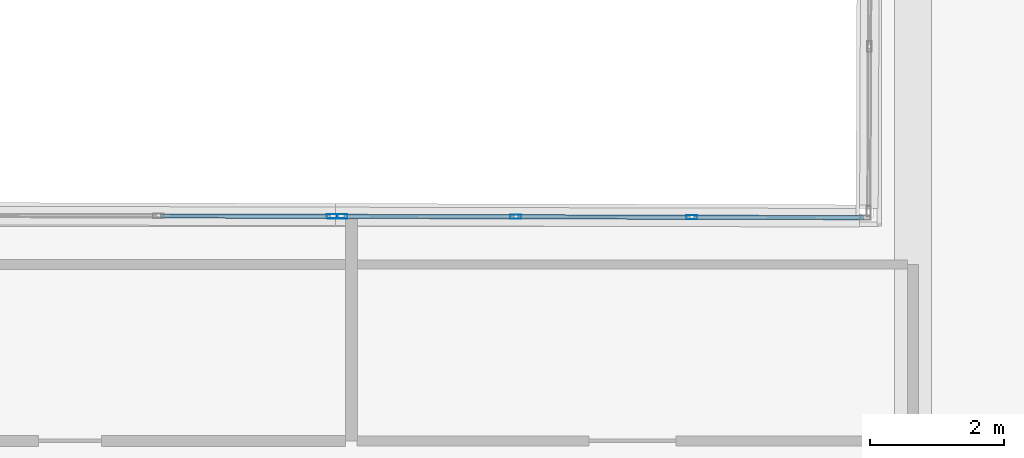
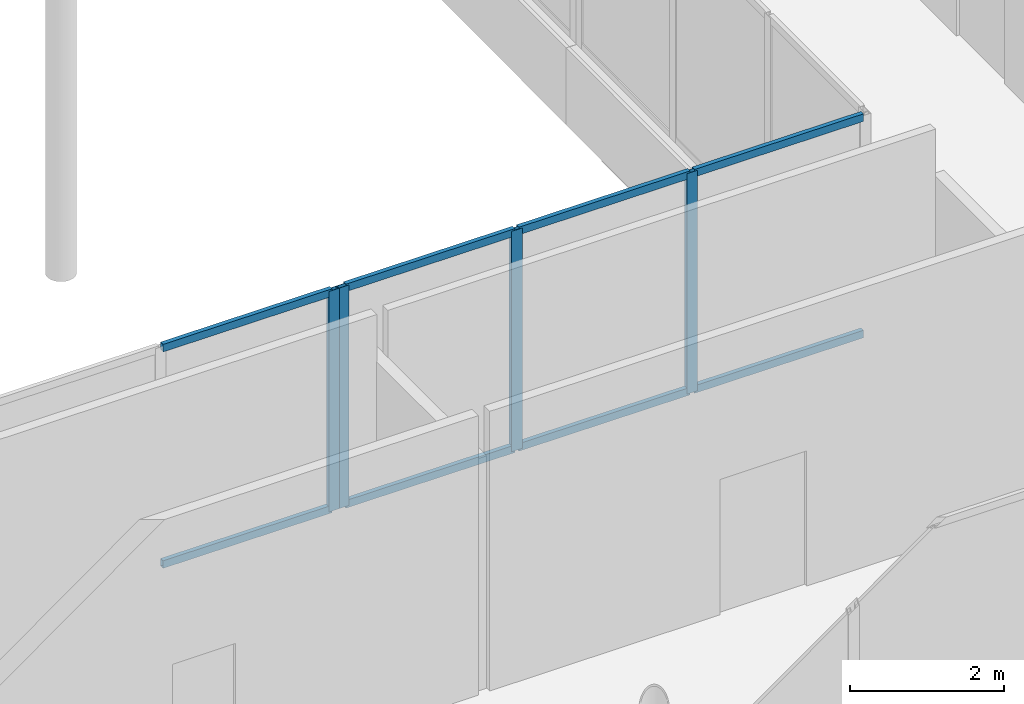
# One storey, part 42 of 168: 12 members, 2 elements without a shape of their own.
"""IFC4 building model written with IfcOpenShell, lengths in metres."""

from ifc_helpers import new_model, si_unit, direction, frame, origin, origin_2d, place, context, subcontext, project, spatial, hollow_rectangle, extrude, material, material_profile, profile_set, type_object, element, aggregate, save


model = new_model("IFC4")

# Units and contexts
model_context = context("Model", 3, precision=1e-05, world=origin(), true_north=direction((0.0, 1.0)))
body_context = subcontext(model_context, "Body", "Model", "MODEL_VIEW")
ifc_project = project(units=[si_unit("LENGTHUNIT", "METRE"), si_unit("AREAUNIT", "SQUARE_METRE"), si_unit("VOLUMEUNIT", "CUBIC_METRE"), si_unit("PLANEANGLEUNIT", "RADIAN"), si_unit("MASSUNIT", "GRAM", prefix="KILO")], contexts=[model_context])

# Site, building, storey
site_placement = place(None, origin())
site = spatial("IfcSite", under=ifc_project, at=site_placement, CompositionType="ELEMENT")
building_placement = place(site_placement, origin())
building = spatial("IfcBuilding", under=site, at=building_placement, Name="Selatvlak General Hospital", CompositionType="ELEMENT")
storey_placement = place(building_placement, frame((0.0, 0.0, 5.39990234375)))
storey = spatial("IfcBuildingStorey", under=building, at=storey_placement, Name="L01", CompositionType="ELEMENT", Elevation=5.39990234375)

# Curtain wall, member
ifc_material_1 = material(Name="Solar-control Low-E double glazing", Category="glass")
curtain_wall_type_1 = type_object("IfcCurtainWallType", Name="CW-CW-02", PredefinedType="USERDEFINED", material=ifc_material_1)
curtain_wall_1_placement = place(storey_placement, origin())
curtain_wall_1 = element("IfcCurtainWall", 1, at=curtain_wall_1_placement, inside=storey, type_object=curtain_wall_type_1, Name="Glazed facade curtain wall CW-L01-0232", ObjectType="UNITISED CURTAIN WALL", PredefinedType="USERDEFINED")
ifc_material_2 = material(Name="Dark anodised aluminium mullion", Category="aluminium")
ifc_material_profile_1 = material_profile(ifc_material_2, hollow_rectangle(XDim=0.06494140625, YDim=0.159912109375, WallThickness=0.00390625, at=origin_2d()), Name="AL-MUL 65x160x4")
ifc_profile_set_1 = profile_set([ifc_material_profile_1], Name="Dark anodised aluminium mullion")
member_type_1 = type_object("IfcMemberType", Name="CWM-01", PredefinedType="MULLION", material=ifc_profile_set_1)
member_1_placement = place(storey_placement, frame((56.112548828125, 60.420166015625, 0.940185546875), z_axis=(0.0, 0.0, 1.0), x_axis=(0.002531637448, 0.999996795401, 0.0)))
member_1 = element("IfcMember", 2, at=member_1_placement, type_object=member_type_1, Name="CW-02 mullion 4", PredefinedType="MULLION", context=body_context, shape_type="SweptSolid", body=[
    extrude(hollow_rectangle(XDim=0.06494140625, YDim=0.159912109375, WallThickness=0.00390625, at=origin_2d()), origin(), (0.0, 0.0, 1.0), 3.5048828125),
])

# Curtain wall, members
curtain_wall_type_2 = type_object("IfcCurtainWallType", Name="CW-CW-01", PredefinedType="USERDEFINED", material=ifc_material_1)
curtain_wall_2_placement = place(storey_placement, origin())
curtain_wall_2 = element("IfcCurtainWall", 3, at=curtain_wall_2_placement, inside=storey, type_object=curtain_wall_type_2, Name="Glazed facade curtain wall CW-L01-0233", ObjectType="UNITISED CURTAIN WALL", PredefinedType="USERDEFINED")
member_2_placement = place(storey_placement, frame((56.257568359375, 60.419921875, 0.940185546875), z_axis=(0.0, 0.0, 1.0), x_axis=(0.002531637448, 0.999996795401, 0.0)))
member_2 = element("IfcMember", 4, at=member_2_placement, type_object=member_type_1, Name="CW-01 mullion 1", PredefinedType="MULLION", context=body_context, shape_type="SweptSolid", body=[
    extrude(hollow_rectangle(XDim=0.06494140625, YDim=0.159912109375, WallThickness=0.00390625, at=origin_2d()), origin(), (0.0, 0.0, 1.0), 3.5048828125),
])
member_3_placement = place(storey_placement, frame((58.8583984375, 60.413330078125, 0.940185546875), z_axis=(0.0, 0.0, 1.0), x_axis=(0.002531637448, 0.999996795401, 0.0)))
member_3 = element("IfcMember", 5, at=member_3_placement, type_object=member_type_1, Name="CW-01 mullion 2", PredefinedType="MULLION", context=body_context, shape_type="SweptSolid", body=[
    extrude(hollow_rectangle(XDim=0.06494140625, YDim=0.159912109375, WallThickness=0.00390625, at=origin_2d()), origin(), (0.0, 0.0, 1.0), 3.5048828125),
])
member_4_placement = place(storey_placement, frame((61.49169921875, 60.40673828125, 0.940185546875), z_axis=(0.0, 0.0, 1.0), x_axis=(0.002531637448, 0.999996795401, 0.0)))
member_4 = element("IfcMember", 6, at=member_4_placement, type_object=member_type_1, Name="CW-01 mullion 3", PredefinedType="MULLION", context=body_context, shape_type="SweptSolid", body=[
    extrude(hollow_rectangle(XDim=0.06494140625, YDim=0.159912109375, WallThickness=0.00390625, at=origin_2d()), origin(), (0.0, 0.0, 1.0), 3.5048828125),
])

# Member
ifc_material_profile_2 = material_profile(ifc_material_2, hollow_rectangle(XDim=0.06494140625, YDim=0.1201171875, WallThickness=0.00390625, at=origin_2d()), Name="AL-TRN 65x120x4")
ifc_profile_set_2 = profile_set([ifc_material_profile_2], Name="Dark anodised aluminium mullion")
member_type_2 = type_object("IfcMemberType", Name="CWT-01", PredefinedType="USERDEFINED", material=ifc_profile_set_2)
member_5_placement = place(storey_placement, frame((53.544189453125, 60.426513671875, 0.97265625), z_axis=(0.999996867188, -0.002503121069, 0.0), x_axis=(0.002503121069, 0.999996867188, 0.0)))
member_5 = element("IfcMember", 7, at=member_5_placement, type_object=member_type_2, Name="CW-02 transom 3.1", ObjectType="TRANSOM", PredefinedType="USERDEFINED", context=body_context, shape_type="SweptSolid", body=[
    extrude(hollow_rectangle(XDim=0.06494140625, YDim=0.1201171875, WallThickness=0.00390625, at=origin_2d()), origin(), (0.0, 0.0, 1.0), 2.535888671875),
])

member_6_placement = place(storey_placement, frame((53.544189453125, 60.426513671875, 4.41259765625), z_axis=(0.999996867188, -0.002503121069, 0.0), x_axis=(0.002503121069, 0.999996867188, 0.0)))
member_6 = element("IfcMember", 8, at=member_6_placement, type_object=member_type_2, Name="CW-02 transom 3.2", ObjectType="TRANSOM", PredefinedType="USERDEFINED", context=body_context, shape_type="SweptSolid", body=[
    extrude(hollow_rectangle(XDim=0.06494140625, YDim=0.1201171875, WallThickness=0.00390625, at=origin_2d()), origin(), (0.0, 0.0, 1.0), 2.535888671875),
])

aggregate(curtain_wall_1, [member_1, member_5, member_6])

member_7_placement = place(storey_placement, frame((56.2900390625, 60.419921875, 0.97265625), z_axis=(0.999996621569, -0.002599394318, 0.0), x_axis=(0.002599394318, 0.999996621569, 0.0)))
member_7 = element("IfcMember", 9, at=member_7_placement, type_object=member_type_2, Name="CW-01 transom 1.1", ObjectType="TRANSOM", PredefinedType="USERDEFINED", context=body_context, shape_type="SweptSolid", body=[
    extrude(hollow_rectangle(XDim=0.06494140625, YDim=0.1201171875, WallThickness=0.00390625, at=origin_2d()), origin(), (0.0, 0.0, 1.0), 2.535888671875),
])

member_8_placement = place(storey_placement, frame((56.2900390625, 60.419921875, 4.41259765625), z_axis=(0.999996621569, -0.002599394318, 0.0), x_axis=(0.002599394318, 0.999996621569, 0.0)))
member_8 = element("IfcMember", 10, at=member_8_placement, type_object=member_type_2, Name="CW-01 transom 1.2", ObjectType="TRANSOM", PredefinedType="USERDEFINED", context=body_context, shape_type="SweptSolid", body=[
    extrude(hollow_rectangle(XDim=0.06494140625, YDim=0.1201171875, WallThickness=0.00390625, at=origin_2d()), origin(), (0.0, 0.0, 1.0), 2.535888671875),
])

member_9_placement = place(storey_placement, frame((58.890869140625, 60.413330078125, 0.97265625), z_axis=(0.999996706453, -0.002566531471, 0.0), x_axis=(0.002566531471, 0.999996706453, 0.0)))
member_9 = element("IfcMember", 11, at=member_9_placement, type_object=member_type_2, Name="CW-01 transom 2.1", ObjectType="TRANSOM", PredefinedType="USERDEFINED", context=body_context, shape_type="SweptSolid", body=[
    extrude(hollow_rectangle(XDim=0.06494140625, YDim=0.1201171875, WallThickness=0.00390625, at=origin_2d()), origin(), (0.0, 0.0, 1.0), 2.568359375),
])

member_10_placement = place(storey_placement, frame((58.890869140625, 60.413330078125, 4.41259765625), z_axis=(0.999996706453, -0.002566531471, 0.0), x_axis=(0.002566531471, 0.999996706453, 0.0)))
member_10 = element("IfcMember", 12, at=member_10_placement, type_object=member_type_2, Name="CW-01 transom 2.2", ObjectType="TRANSOM", PredefinedType="USERDEFINED", context=body_context, shape_type="SweptSolid", body=[
    extrude(hollow_rectangle(XDim=0.06494140625, YDim=0.1201171875, WallThickness=0.00390625, at=origin_2d()), origin(), (0.0, 0.0, 1.0), 2.568359375),
])

member_11_placement = place(storey_placement, frame((61.524169921875, 60.406494140625, 0.97265625), z_axis=(0.999996867188, -0.002503121069, 0.0), x_axis=(0.002503121069, 0.999996867188, 0.0)))
member_11 = element("IfcMember", 13, at=member_11_placement, type_object=member_type_2, Name="CW-01 transom 3.1", ObjectType="TRANSOM", PredefinedType="USERDEFINED", context=body_context, shape_type="SweptSolid", body=[
    extrude(hollow_rectangle(XDim=0.06494140625, YDim=0.1201171875, WallThickness=0.00390625, at=origin_2d()), origin(), (0.0, 0.0, 1.0), 2.535888671875),
])

member_12_placement = place(storey_placement, frame((61.524169921875, 60.406494140625, 4.41259765625), z_axis=(0.999996867188, -0.002503121069, 0.0), x_axis=(0.002503121069, 0.999996867188, 0.0)))
member_12 = element("IfcMember", 14, at=member_12_placement, type_object=member_type_2, Name="CW-01 transom 3.2", ObjectType="TRANSOM", PredefinedType="USERDEFINED", context=body_context, shape_type="SweptSolid", body=[
    extrude(hollow_rectangle(XDim=0.06494140625, YDim=0.1201171875, WallThickness=0.00390625, at=origin_2d()), origin(), (0.0, 0.0, 1.0), 2.535888671875),
])

aggregate(curtain_wall_2, [member_2, member_3, member_4, member_7, member_8, member_9, member_10, member_11, member_12])

save(model, "model.ifc")
